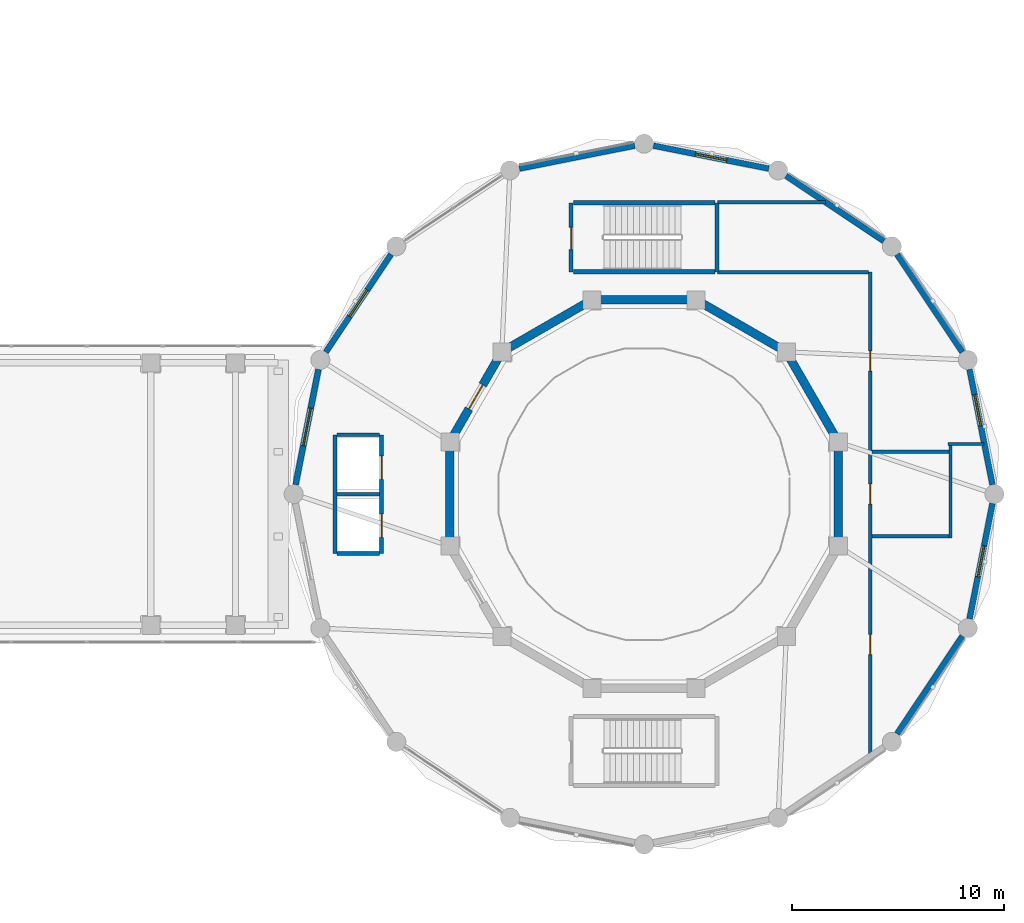
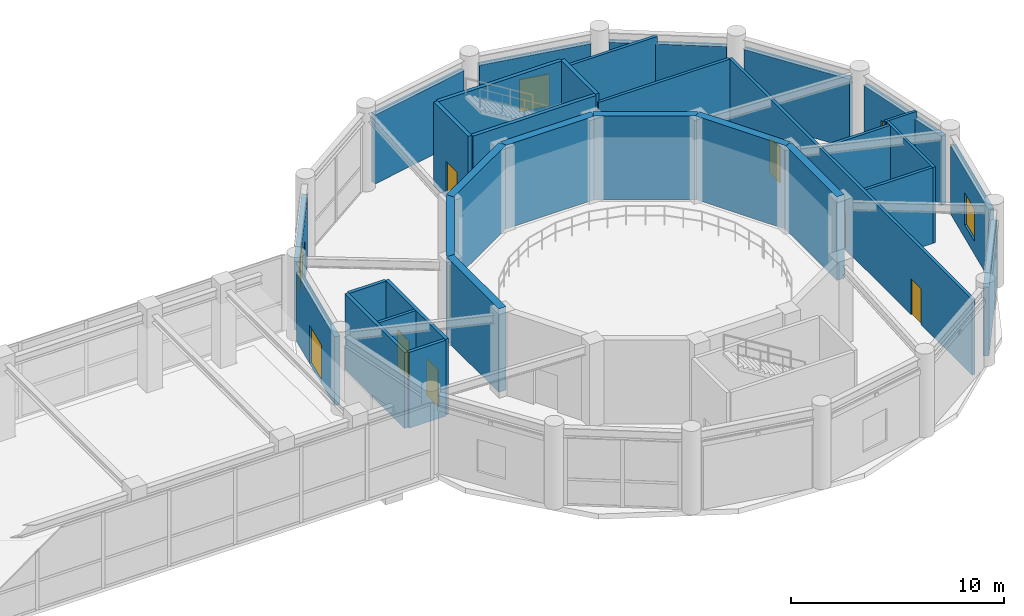
# One storey, part 34 of 44: 32 walls, 8 doors, 4 windows, 12 openings.
"""IFC4 building model written with IfcOpenShell, lengths in metres."""

from ifc_helpers import new_model, si_unit, derived_unit, direction, frame, frame_2d, origin, place, context, subcontext, project, spatial, rectangle, extrude, material, layer, layer_set, type_object, element, fill, save


model = new_model("IFC4")

# Units and contexts
model_context = context("Model", 3, precision=1e-05, world=origin(), true_north=direction((0.0, 1.0)))
body_context = subcontext(model_context, "Body", "Model", "MODEL_VIEW")
ifc_project = project(units=[si_unit("LENGTHUNIT", "METRE"), si_unit("AREAUNIT", "SQUARE_METRE"), si_unit("VOLUMEUNIT", "CUBIC_METRE"), si_unit("PLANEANGLEUNIT", "RADIAN"), si_unit("MASSUNIT", "GRAM", prefix="KILO"), derived_unit("THERMALTRANSMITTANCEUNIT", [(si_unit("POWERUNIT", "WATT"), 1), (si_unit("LENGTHUNIT", "METRE"), -2), (si_unit("THERMODYNAMICTEMPERATUREUNIT", "KELVIN"), -1)])], contexts=[model_context])

# Site, building, storey
site_placement = place(None, origin())
site = spatial("IfcSite", under=ifc_project, at=site_placement, CompositionType="ELEMENT")
building_placement = place(site_placement, origin())
building = spatial("IfcBuilding", under=site, at=building_placement, Name="Korsvarv Bourse and Concert Hall", CompositionType="ELEMENT")
storey_placement = place(building_placement, frame((0.0, 0.0, 9.60009765625)))
storey = spatial("IfcBuildingStorey", under=building, at=storey_placement, Name="L02", CompositionType="ELEMENT", Elevation=9.60009765625)

# Wall, opening, door
ifc_material_1 = material(Name="Concrete C50/60", Category="concrete")
ifc_layer_1 = layer(ifc_material_1, 0.3798828125)
ifc_layer_set_1 = layer_set([ifc_layer_1], Name="Concrete C50/60")
wall_type_1 = type_object("IfcWallType", Name="WL-CORE-380", PredefinedType="SHEAR", material=ifc_layer_set_1)
wall_1_placement = place(storey_placement, frame((103.35009765625, 46.5, 0.0), z_axis=(0.0, 0.0, 1.0), x_axis=(0.0, 1.0, 0.0)))
wall_1 = element("IfcWall", 1, at=wall_1_placement, inside=storey, type_object=wall_type_1, Name="L02 stair shaft structural wall W-L02-STCH1-W", PredefinedType="SHEAR", context=body_context, shape_type="SweptSolid", body=[
    extrude(rectangle(XDim=3.260009765625, YDim=0.199951171875, at=frame_2d((1.6298828125, 0.0))), origin(), (0.0, 0.0, 1.0), 4.7998046875),
])
opening_1_placement = place(wall_1_placement, frame((1.050048828125, 0.0, 0.0)))
opening_1 = element("IfcOpeningElement", 2, at=opening_1_placement, cuts=wall_1, Name="Opening D-01", PredefinedType="OPENING", context=body_context, shape_type="SweptSolid", body=[
    extrude(rectangle(XDim=1.050048828125, YDim=2.10009765625, at=frame_2d((0.52490234375, 1.050048828125))), frame((0.0, 0.10986328125, 0.0), z_axis=(0.0, -1.0, 0.0), x_axis=(1.0, 0.0, 0.0)), (0.0, 0.0, 1.0), 0.219970703125),
])
ifc_material_2 = material(Name="Steel S355 fire door", Category="steel")
door_type_1 = type_object("IfcDoorType", Name="DR-FD60", OperationType="NOTDEFINED", PredefinedType="DOOR", material=ifc_material_2)
door_1_placement = place(opening_1_placement, origin())
door_1 = element("IfcDoor", 3, at=door_1_placement, inside=storey, type_object=door_type_1, Name="L02 interior door DR-L02-STCH1", OperationType="SINGLE_SWING_LEFT", OverallHeight=2.10009765625, OverallWidth=1.050048828125, PredefinedType="DOOR", context=body_context, shape_type="SweptSolid", body=[
    extrude(rectangle(XDim=1.050048828125, YDim=2.10009765625, at=frame_2d((0.52490234375, 1.050048828125))), frame((0.0, 0.02490234375, 0.0), z_axis=(0.0, -1.0, 0.0), x_axis=(1.0, 0.0, 0.0)), (0.0, 0.0, 1.0), 0.050048828125),
])
fill(opening_1, door_1)

# Walls
for number, where, z_axis, x_axis, name in (
    (4, (103.4599609375, 49.760009765625, 0.0), (0.0, 0.0, 1.0), (1.0, 0.0, 0.0), "L02 stair shaft structural wall W-L02-STCH1-N"),
    (5, (103.4599609375, 46.5, 0.0), (0.0, 0.0, 1.0), (1.0, 0.0, 0.0), "L02 stair shaft structural wall W-L02-STCH1-S"),
):
    element("IfcWall", number, at=place(storey_placement, frame(where, z_axis=z_axis, x_axis=x_axis)), inside=storey, type_object=wall_type_1, Name=name, PredefinedType="SHEAR", context=body_context, shape_type="SweptSolid", body=[
        extrude(rectangle(XDim=6.679931640625, YDim=0.199951171875, at=frame_2d((3.33984375, 0.0))), origin(), (0.0, 0.0, 1.0), 4.7998046875),
    ])
wall_2_placement = place(storey_placement, frame((110.25, 46.5, 0.0), z_axis=(0.0, 0.0, 1.0), x_axis=(0.0, 1.0, 0.0)))
element("IfcWall", 6, at=wall_2_placement, inside=storey, type_object=wall_type_1, Name="L02 stair shaft structural wall W-L02-STCH1-E", PredefinedType="SHEAR", context=body_context, shape_type="SweptSolid", body=[
    extrude(rectangle(XDim=3.260009765625, YDim=0.199951171875, at=frame_2d((1.6298828125, 0.0))), origin(), (0.0, 0.0, 1.0), 4.7998046875),
])
ifc_layer_2 = layer(ifc_material_1, 0.39990234375)
ifc_layer_set_2 = layer_set([ifc_layer_2], Name="Concrete C50/60")
wall_type_2 = type_object("IfcWallType", Name="WL-DRM-400", PredefinedType="SOLIDWALL", material=ifc_layer_set_2)
for number, where, z_axis, x_axis, name in (
    (7, (115.976318359375, 38.458740234375, 0.0), (0.0, 0.0, 1.0), (-0.499988900423, 0.866031812033, 0.0), "L02 Concert Hall Acoustic Bowl Wall 1"),
    (8, (113.517578125, 42.717529296875, 0.0), (0.0, 0.0, 1.0), (-0.866031812033, 0.499988900423, 0.0), "L02 Concert Hall Acoustic Bowl Wall 2"),
    (9, (109.2587890625, 45.17626953125, 0.0), (0.0, 0.0, 1.0), (-1.0, 0.0, 0.0), "L02 Concert Hall Acoustic Bowl Wall 3"),
    (10, (104.34130859375, 45.17626953125, 0.0), (0.0, 0.0, 1.0), (-0.866031812033, -0.499988900423, 0.0), "L02 Concert Hall Acoustic Bowl Wall 4"),
):
    element("IfcWall", number, at=place(storey_placement, frame(where, z_axis=z_axis, x_axis=x_axis)), inside=storey, type_object=wall_type_2, Name=name, PredefinedType="SOLIDWALL", context=body_context, shape_type="SweptSolid", body=[
        extrude(rectangle(XDim=4.91748046875, YDim=0.39990234375, at=frame_2d((2.458740234375, 0.0))), origin(), (0.0, 0.0, 1.0), 4.7998046875),
    ])

# Wall, opening, door
wall_3_placement = place(storey_placement, frame((100.08251953125, 42.717529296875, 0.0), z_axis=(0.0, 0.0, 1.0), x_axis=(-0.499988900423, -0.866031812033, 0.0)))
wall_3 = element("IfcWall", 11, at=wall_3_placement, inside=storey, type_object=wall_type_2, Name="L02 Concert Hall Acoustic Bowl Wall 5", PredefinedType="SOLIDWALL", context=body_context, shape_type="SweptSolid", body=[
    extrude(rectangle(XDim=4.91748046875, YDim=0.39990234375, at=frame_2d((2.458740234375, 0.0))), origin(), (0.0, 0.0, 1.0), 4.7998046875),
])
opening_2_placement = place(wall_3_placement, frame((1.808837890625, 0.0, 0.0)))
opening_2 = element("IfcOpeningElement", 12, at=opening_2_placement, cuts=wall_3, Name="Opening D-04", PredefinedType="OPENING", context=body_context, shape_type="SweptSolid", body=[
    extrude(rectangle(XDim=1.300048828125, YDim=2.10009765625, at=frame_2d((0.64990234375, 1.050048828125))), frame((0.0, 0.2099609375, 0.0), z_axis=(0.0, -1.0, 0.0), x_axis=(1.0, 0.0, 0.0)), (0.0, 0.0, 1.0), 0.419921875),
])
ifc_material_3 = material(Name="Glazed aluminium double corridor door", Category="aluminium")
door_type_2 = type_object("IfcDoorType", Name="DR-INT-2", OperationType="DOUBLE_DOOR_SINGLE_SWING", PredefinedType="DOOR", material=ifc_material_3)
door_2_placement = place(opening_2_placement, frame((1.300048828125, 0.0, 0.0), z_axis=(0.0, 0.0, 1.0), x_axis=(-1.0, 0.0, 0.0)))
door_2 = element("IfcDoor", 13, at=door_2_placement, inside=storey, type_object=door_type_2, Name="L02 Symphony Auditorium acoustic door DR-L02-CHB1", OperationType="SINGLE_SWING_LEFT", OverallHeight=2.10009765625, OverallWidth=1.300048828125, PredefinedType="DOOR", context=body_context, shape_type="SweptSolid", body=[
    extrude(rectangle(XDim=1.300048828125, YDim=2.10009765625, at=frame_2d((0.64990234375, 1.050048828125))), frame((0.0, 0.02490234375, 0.0), z_axis=(0.0, -1.0, 0.0), x_axis=(1.0, 0.0, 0.0)), (0.0, 0.0, 1.0), 0.050048828125),
])
fill(opening_2, door_2)

# Walls
for number, where, z_axis, x_axis, name in (
    (14, (97.623779296875, 38.458740234375, 0.0), (0.0, 0.0, 1.0), (0.0, -1.0, 0.0), "L02 Concert Hall Acoustic Bowl Wall 6"),
    (15, (115.976318359375, 33.541259765625, 0.0), (0.0, 0.0, 1.0), (0.0, 1.0, 0.0), "L02 Concert Hall Acoustic Bowl Wall 12"),
):
    element("IfcWall", number, at=place(storey_placement, frame(where, z_axis=z_axis, x_axis=x_axis)), inside=storey, type_object=wall_type_2, Name=name, PredefinedType="SOLIDWALL", context=body_context, shape_type="SweptSolid", body=[
        extrude(rectangle(XDim=4.91748046875, YDim=0.39990234375, at=frame_2d((2.458740234375, 0.0))), origin(), (0.0, 0.0, 1.0), 4.7998046875),
    ])

# Wall, opening, window
ifc_material_4 = material(Name="Precast concrete C45/55 with fluted terracotta pier", Category="concrete")
ifc_layer_3 = layer(ifc_material_4, 0.280029296875)
ifc_layer_set_3 = layer_set([ifc_layer_3], Name="Precast concrete C45/55 with fluted terracotta pier")
wall_type_3 = type_object("IfcWallType", Name="WL-EXT-TC2", PredefinedType="SOLIDWALL", material=ifc_layer_set_3)
wall_4_placement = place(storey_placement, frame((123.26123046875, 36.4462890625, 0.0), z_axis=(0.0, 0.0, 1.0), x_axis=(-0.195091972221, 0.980784952156, 0.0)))
wall_4 = element("IfcWall", 16, at=wall_4_placement, inside=storey, type_object=wall_type_3, Name="L02 terracotta exterior wall EW-L02-CHD01", PredefinedType="SOLIDWALL", context=body_context, shape_type="SweptSolid", body=[
    extrude(rectangle(XDim=5.547607421875, YDim=0.280029296875, at=frame_2d((2.77392578125, 0.0))), origin(), (0.0, 0.0, 1.0), 3.949951171875),
])
opening_3_placement = place(wall_4_placement, frame((2.83544921875, 0.0, 0.75)))
opening_3 = element("IfcOpeningElement", 17, at=opening_3_placement, cuts=wall_4, Name="Opening W-04", PredefinedType="OPENING", context=body_context, shape_type="SweptSolid", body=[
    extrude(rectangle(XDim=1.5, YDim=1.85009765625, at=frame_2d((0.75, 0.925048828125))), frame((0.0, 0.14990234375, 0.0), z_axis=(0.0, -1.0, 0.0), x_axis=(1.0, 0.0, 0.0)), (0.0, 0.0, 1.0), 0.300048828125),
])
ifc_material_5 = material(Name="Thermally broken aluminium frame with triple low-E glass", Category="glass")
window_type = type_object("IfcWindowType", Name="WIN-POD2", PartitioningType="SINGLE_PANEL", PredefinedType="WINDOW", material=ifc_material_5)
window_1_placement = place(opening_3_placement, origin())
window_1 = element("IfcWindow", 18, at=window_1_placement, inside=storey, type_object=window_type, Name="L02 punched facade window W-04", OverallHeight=1.85009765625, OverallWidth=1.5, PartitioningType="SINGLE_PANEL", PredefinedType="WINDOW", context=body_context, shape_type="SweptSolid", body=[
    extrude(rectangle(XDim=1.5, YDim=1.85009765625, at=frame_2d((0.75, 0.925048828125))), frame((0.0, 0.030029296875, 0.0), z_axis=(0.0, -1.0, 0.0), x_axis=(1.0, 0.0, 0.0)), (0.0, 0.0, 1.0), 0.06005859375),
])
fill(opening_3, window_1)

# Walls
for number, where, z_axis, x_axis, name in (
    (19, (121.83740234375, 42.711669921875, 0.0), (0.0, 0.0, 1.0), (-0.555573305798, 0.831467559129, 0.0), "L02 terracotta exterior wall EW-L02-CHD02"),
    (20, (118.124267578125, 47.955322265625, 0.0), (0.0, 0.0, 1.0), (-0.831467559129, 0.555573305798, 0.0), "L02 terracotta exterior wall EW-L02-CHD03"),
):
    element("IfcWall", number, at=place(storey_placement, frame(where, z_axis=z_axis, x_axis=x_axis)), inside=storey, type_object=wall_type_3, Name=name, PredefinedType="SOLIDWALL", context=body_context, shape_type="SweptSolid", body=[
        extrude(rectangle(XDim=5.54736328125, YDim=0.280029296875, at=frame_2d((2.773681640625, 0.0))), origin(), (0.0, 0.0, 1.0), 3.949951171875),
    ])

# Wall, opening, window
wall_5_placement = place(storey_placement, frame((112.68701171875, 51.37890625, 0.0), z_axis=(0.0, 0.0, 1.0), x_axis=(-0.980783277025, 0.195100393406, 0.0)))
wall_5 = element("IfcWall", 21, at=wall_5_placement, inside=storey, type_object=wall_type_3, Name="L02 terracotta exterior wall EW-L02-CHD04", PredefinedType="SOLIDWALL", context=body_context, shape_type="SweptSolid", body=[
    extrude(rectangle(XDim=5.54736328125, YDim=0.280029296875, at=frame_2d((2.773681640625, 0.0))), origin(), (0.0, 0.0, 1.0), 3.949951171875),
])
opening_4_placement = place(wall_5_placement, frame((2.023681640625, 0.0, 0.75)))
opening_4 = element("IfcOpeningElement", 22, at=opening_4_placement, cuts=wall_5, Name="Opening W-04", PredefinedType="OPENING", context=body_context, shape_type="SweptSolid", body=[
    extrude(rectangle(XDim=1.5, YDim=1.85009765625, at=frame_2d((0.75, 0.925048828125))), frame((0.0, 0.14990234375, 0.0), z_axis=(0.0, -1.0, 0.0), x_axis=(1.0, 0.0, 0.0)), (0.0, 0.0, 1.0), 0.300048828125),
])
window_2_placement = place(opening_4_placement, origin())
window_2 = element("IfcWindow", 23, at=window_2_placement, inside=storey, type_object=window_type, Name="L02 punched facade window W-04", OverallHeight=1.85009765625, OverallWidth=1.5, PartitioningType="SINGLE_PANEL", PredefinedType="WINDOW", context=body_context, shape_type="SweptSolid", body=[
    extrude(rectangle(XDim=1.5, YDim=1.85009765625, at=frame_2d((0.75, 0.925048828125))), frame((0.0, 0.030029296875, 0.0), z_axis=(0.0, -1.0, 0.0), x_axis=(1.0, 0.0, 0.0)), (0.0, 0.0, 1.0), 0.06005859375),
])
fill(opening_4, window_2)

# Wall
wall_6_placement = place(storey_placement, frame((106.353759765625, 52.461181640625, 0.0), z_axis=(0.0, 0.0, 1.0), x_axis=(-0.980784952156, -0.195091972221, 0.0)))
element("IfcWall", 24, at=wall_6_placement, inside=storey, type_object=wall_type_3, Name="L02 terracotta exterior wall EW-L02-CHD05", PredefinedType="SOLIDWALL", context=body_context, shape_type="SweptSolid", body=[
    extrude(rectangle(XDim=5.547607421875, YDim=0.280029296875, at=frame_2d((2.77392578125, 0.0))), origin(), (0.0, 0.0, 1.0), 3.949951171875),
])

# Wall, opening, window
wall_7_placement = place(storey_placement, frame((94.844482421875, 47.32421875, 0.0), z_axis=(0.0, 0.0, 1.0), x_axis=(-0.555542879373, -0.831487888774, 0.0)))
wall_7 = element("IfcWall", 25, at=wall_7_placement, inside=storey, type_object=wall_type_3, Name="L02 terracotta exterior wall EW-L02-CHD07", PredefinedType="SOLIDWALL", context=body_context, shape_type="SweptSolid", body=[
    extrude(rectangle(XDim=5.54736328125, YDim=0.280029296875, at=frame_2d((2.773681640625, 0.0))), origin(), (0.0, 0.0, 1.0), 3.949951171875),
])
opening_5_placement = place(wall_7_placement, frame((2.023681640625, 0.0, 0.75)))
opening_5 = element("IfcOpeningElement", 26, at=opening_5_placement, cuts=wall_7, Name="Opening W-04", PredefinedType="OPENING", context=body_context, shape_type="SweptSolid", body=[
    extrude(rectangle(XDim=1.5, YDim=1.85009765625, at=frame_2d((0.75, 0.925048828125))), frame((0.0, 0.14990234375, 0.0), z_axis=(0.0, -1.0, 0.0), x_axis=(1.0, 0.0, 0.0)), (0.0, 0.0, 1.0), 0.300048828125),
])
window_3_placement = place(opening_5_placement, origin())
window_3 = element("IfcWindow", 27, at=window_3_placement, inside=storey, type_object=window_type, Name="L02 punched facade window W-04", OverallHeight=1.85009765625, OverallWidth=1.5, PartitioningType="SINGLE_PANEL", PredefinedType="WINDOW", context=body_context, shape_type="SweptSolid", body=[
    extrude(rectangle(XDim=1.5, YDim=1.85009765625, at=frame_2d((0.75, 0.925048828125))), frame((0.0, 0.030029296875, 0.0), z_axis=(0.0, -1.0, 0.0), x_axis=(1.0, 0.0, 0.0)), (0.0, 0.0, 1.0), 0.06005859375),
])
fill(opening_5, window_3)

# Wall, opening, door
wall_8_placement = place(storey_placement, frame((91.4208984375, 41.88720703125, 0.0), z_axis=(0.0, 0.0, 1.0), x_axis=(-0.19504963768, -0.980793372144, 0.0)))
wall_8 = element("IfcWall", 28, at=wall_8_placement, inside=storey, type_object=wall_type_3, Name="L02 terracotta exterior wall EW-L02-CHD08", PredefinedType="SOLIDWALL", context=body_context, shape_type="SweptSolid", body=[
    extrude(rectangle(XDim=5.54736328125, YDim=0.280029296875, at=frame_2d((2.773681640625, 0.0))), origin(), (0.0, 0.0, 1.0), 3.949951171875),
])
opening_6_placement = place(wall_8_placement, frame((1.873779296875, 0.0, 0.0)))
opening_6 = element("IfcOpeningElement", 29, at=opening_6_placement, cuts=wall_8, Name="Opening ED-03", PredefinedType="OPENING", context=body_context, shape_type="SweptSolid", body=[
    extrude(rectangle(XDim=1.800048828125, YDim=2.199951171875, at=frame_2d((0.89990234375, 1.10009765625))), frame((0.0, 0.14990234375, 0.0), z_axis=(0.0, -1.0, 0.0), x_axis=(1.0, 0.0, 0.0)), (0.0, 0.0, 1.0), 0.300048828125),
])
ifc_material_6 = material(Name="Thermally broken anodised aluminium and laminated safety glass", Category="aluminium")
door_type_3 = type_object("IfcDoorType", Name="DR-EXT-EXIT-1800X2200", OperationType="DOUBLE_DOOR_SINGLE_SWING", PredefinedType="DOOR", material=ifc_material_6)
door_3_placement = place(opening_6_placement, frame((1.800048828125, 0.0, 0.0), z_axis=(0.0, 0.0, 1.0), x_axis=(-1.0, 0.0, 0.0)))
door_3 = element("IfcDoor", 30, at=door_3_placement, inside=storey, type_object=door_type_3, Name="L02 Concert Hall Link Bridge Portal Door 8", OperationType="DOUBLE_DOOR_SINGLE_SWING", OverallHeight=2.199951171875, OverallWidth=1.800048828125, PredefinedType="DOOR", context=body_context, shape_type="SweptSolid", body=[
    extrude(rectangle(XDim=1.800048828125, YDim=2.199951171875, at=frame_2d((0.89990234375, 1.10009765625))), frame((0.0, 0.02490234375, 0.0), z_axis=(0.0, -1.0, 0.0), x_axis=(1.0, 0.0, 0.0)), (0.0, 0.0, 1.0), 0.050048828125),
])
fill(opening_6, door_3)

# Wall
wall_9_placement = place(storey_placement, frame((118.75537109375, 24.67578125, 0.0), z_axis=(0.0, 0.0, 1.0), x_axis=(0.555573305798, 0.831467559129, 0.0)))
element("IfcWall", 31, at=wall_9_placement, inside=storey, type_object=wall_type_3, Name="L02 terracotta exterior wall EW-L02-CHD15", PredefinedType="SOLIDWALL", context=body_context, shape_type="SweptSolid", body=[
    extrude(rectangle(XDim=5.54736328125, YDim=0.280029296875, at=frame_2d((2.773681640625, 0.0))), origin(), (0.0, 0.0, 1.0), 3.949951171875),
])

# Wall, opening, window
wall_10_placement = place(storey_placement, frame((122.178955078125, 30.11279296875, 0.0), z_axis=(0.0, 0.0, 1.0), x_axis=(0.195091972221, 0.980784952156, 0.0)))
wall_10 = element("IfcWall", 32, at=wall_10_placement, inside=storey, type_object=wall_type_3, Name="L02 terracotta exterior wall EW-L02-CHD16", PredefinedType="SOLIDWALL", context=body_context, shape_type="SweptSolid", body=[
    extrude(rectangle(XDim=5.547607421875, YDim=0.280029296875, at=frame_2d((2.77392578125, 0.0))), origin(), (0.0, 0.0, 1.0), 3.949951171875),
])
opening_7_placement = place(wall_10_placement, frame((2.023681640625, 0.0, 0.75)))
opening_7 = element("IfcOpeningElement", 33, at=opening_7_placement, cuts=wall_10, Name="Opening W-04", PredefinedType="OPENING", context=body_context, shape_type="SweptSolid", body=[
    extrude(rectangle(XDim=1.5, YDim=1.85009765625, at=frame_2d((0.75, 0.925048828125))), frame((0.0, 0.14990234375, 0.0), z_axis=(0.0, -1.0, 0.0), x_axis=(1.0, 0.0, 0.0)), (0.0, 0.0, 1.0), 0.300048828125),
])
window_4_placement = place(opening_7_placement, origin())
window_4 = element("IfcWindow", 34, at=window_4_placement, inside=storey, type_object=window_type, Name="L02 punched facade window W-04", OverallHeight=1.85009765625, OverallWidth=1.5, PartitioningType="SINGLE_PANEL", PredefinedType="WINDOW", context=body_context, shape_type="SweptSolid", body=[
    extrude(rectangle(XDim=1.5, YDim=1.85009765625, at=frame_2d((0.75, 0.925048828125))), frame((0.0, 0.030029296875, 0.0), z_axis=(0.0, -1.0, 0.0), x_axis=(1.0, 0.0, 0.0)), (0.0, 0.0, 1.0), 0.06005859375),
])
fill(opening_7, window_4)

# Wall, openings, doors
ifc_material_7 = material(Name="Double-stud fire-rated acoustic partition", Category="gypsum")
ifc_layer_4 = layer(ifc_material_7, 0.159912109375)
ifc_layer_set_4 = layer_set([ifc_layer_4], Name="Double-stud fire-rated acoustic partition")
wall_type_4 = type_object("IfcWallType", Name="WL-INT-EI60", PredefinedType="PARTITIONING", material=ifc_layer_set_4)
wall_11_placement = place(storey_placement, frame((117.47509765625, 23.630859375, 0.0), z_axis=(0.0, 0.0, 1.0), x_axis=(0.0, 1.0, 0.0)))
wall_11 = element("IfcWall", 35, at=wall_11_placement, inside=storey, type_object=wall_type_4, Name="L02 interior partition wall W-L02-CHFOY-01", PredefinedType="PARTITIONING", context=body_context, shape_type="SweptSolid", body=[
    extrude(rectangle(XDim=22.84912109375, YDim=0.159912109375, at=frame_2d((11.424560546875, 0.0))), origin(), (0.0, 0.0, 1.0), 4.349853515625),
])
opening_8_placement = place(wall_11_placement, frame((11.894287109375, 0.0, 0.0)))
opening_8 = element("IfcOpeningElement", 36, at=opening_8_placement, cuts=wall_11, Name="Opening D-02", PredefinedType="OPENING", context=body_context, shape_type="SweptSolid", body=[
    extrude(rectangle(XDim=0.949951171875, YDim=2.050048828125, at=frame_2d((0.47509765625, 1.02490234375))), frame((0.0, 0.08984375, 0.0), z_axis=(0.0, -1.0, 0.0), x_axis=(1.0, 0.0, 0.0)), (0.0, 0.0, 1.0), 0.179931640625),
])
opening_9_placement = place(wall_11_placement, frame((4.791259765625, 0.0, 0.0)))
opening_9 = element("IfcOpeningElement", 37, at=opening_9_placement, cuts=wall_11, Name="Opening D-02", PredefinedType="OPENING", context=body_context, shape_type="SweptSolid", body=[
    extrude(rectangle(XDim=0.949951171875, YDim=2.050048828125, at=frame_2d((0.47509765625, 1.02490234375))), frame((0.0, 0.08984375, 0.0), z_axis=(0.0, -1.0, 0.0), x_axis=(1.0, 0.0, 0.0)), (0.0, 0.0, 1.0), 0.179931640625),
])
opening_10_placement = place(wall_11_placement, frame((18.17919921875, 0.0, 0.0)))
opening_10 = element("IfcOpeningElement", 38, at=opening_10_placement, cuts=wall_11, Name="Opening D-02", PredefinedType="OPENING", context=body_context, shape_type="SweptSolid", body=[
    extrude(rectangle(XDim=0.949951171875, YDim=2.050048828125, at=frame_2d((0.47509765625, 1.02490234375))), frame((0.0, 0.08984375, 0.0), z_axis=(0.0, -1.0, 0.0), x_axis=(1.0, 0.0, 0.0)), (0.0, 0.0, 1.0), 0.179931640625),
])
ifc_material_8 = material(Name="Timber and steel acoustic fire door", Category="wood")
door_type_4 = type_object("IfcDoorType", Name="DR-FD30", OperationType="NOTDEFINED", PredefinedType="DOOR", material=ifc_material_8)
door_4_placement = place(opening_8_placement, origin())
door_4 = element("IfcDoor", 39, at=door_4_placement, inside=storey, type_object=door_type_4, Name="L02 interior door DR-L02-CHFOY-RWC", OperationType="SINGLE_SWING_LEFT", OverallHeight=2.050048828125, OverallWidth=0.949951171875, PredefinedType="DOOR", context=body_context, shape_type="SweptSolid", body=[
    extrude(rectangle(XDim=0.949951171875, YDim=2.050048828125, at=frame_2d((0.47509765625, 1.02490234375))), frame((0.0, 0.02490234375, 0.0), z_axis=(0.0, -1.0, 0.0), x_axis=(1.0, 0.0, 0.0)), (0.0, 0.0, 1.0), 0.050048828125),
])
fill(opening_8, door_4)
door_5_placement = place(opening_9_placement, origin())
door_5 = element("IfcDoor", 40, at=door_5_placement, inside=storey, type_object=door_type_4, Name="L02 interior door DR-L02-CHFOY-CHWC1", OperationType="SINGLE_SWING_RIGHT", OverallHeight=2.050048828125, OverallWidth=0.949951171875, PredefinedType="DOOR", context=body_context, shape_type="SweptSolid", body=[
    extrude(rectangle(XDim=0.949951171875, YDim=2.050048828125, at=frame_2d((0.47509765625, 1.02490234375))), frame((0.0, 0.02490234375, 0.0), z_axis=(0.0, -1.0, 0.0), x_axis=(1.0, 0.0, 0.0)), (0.0, 0.0, 1.0), 0.050048828125),
])
fill(opening_9, door_5)
door_6_placement = place(opening_10_placement, origin())
door_6 = element("IfcDoor", 41, at=door_6_placement, inside=storey, type_object=door_type_4, Name="L02 interior door DR-L02-CHFOY-CHSUP2", OperationType="SINGLE_SWING_LEFT", OverallHeight=2.050048828125, OverallWidth=0.949951171875, PredefinedType="DOOR", context=body_context, shape_type="SweptSolid", body=[
    extrude(rectangle(XDim=0.949951171875, YDim=2.050048828125, at=frame_2d((0.47509765625, 1.02490234375))), frame((0.0, 0.02490234375, 0.0), z_axis=(0.0, -1.0, 0.0), x_axis=(1.0, 0.0, 0.0)), (0.0, 0.0, 1.0), 0.050048828125),
])
fill(opening_10, door_6)

# Walls
wall_12_placement = place(storey_placement, frame((110.27001953125, 46.47509765625, 0.0), z_axis=(0.0, 0.0, 1.0), x_axis=(1.0, 0.0, 0.0)))
element("IfcWall", 42, at=wall_12_placement, inside=storey, type_object=wall_type_4, Name="L02 interior partition wall W-L02-CHFOY-02", PredefinedType="PARTITIONING", context=body_context, shape_type="SweptSolid", body=[
    extrude(rectangle(XDim=7.123046875, YDim=0.159912109375, at=frame_2d((3.5615234375, 0.0))), origin(), (0.0, 0.0, 1.0), 4.349853515625),
])
wall_13_placement = place(storey_placement, frame((110.27001953125, 49.784912109375, 0.0), z_axis=(0.0, 0.0, 1.0), x_axis=(1.0, 0.0, 0.0)))
element("IfcWall", 43, at=wall_13_placement, inside=storey, type_object=wall_type_4, Name="L02 interior partition wall W-L02-CHFOY-03", PredefinedType="PARTITIONING", context=body_context, shape_type="SweptSolid", body=[
    extrude(rectangle(XDim=5.09619140625, YDim=0.159912109375, at=frame_2d((2.548095703125, 0.0))), origin(), (0.0, 0.0, 1.0), 4.349853515625),
])
for number, where, z_axis, x_axis, name in (
    (44, (117.556884765625, 38.0, 0.0), (0.0, 0.0, 1.0), (1.0, 0.0, 0.0), "L02 interior partition wall W-L02-CHFOY-04"),
    (45, (117.556884765625, 34.0, 0.0), (0.0, 0.0, 1.0), (1.0, 0.0, 0.0), "L02 interior partition wall W-L02-CHFOY-05"),
):
    element("IfcWall", number, at=place(storey_placement, frame(where, z_axis=z_axis, x_axis=x_axis)), inside=storey, type_object=wall_type_4, Name=name, PredefinedType="PARTITIONING", context=body_context, shape_type="SweptSolid", body=[
        extrude(rectangle(XDim=3.64599609375, YDim=0.159912109375, at=frame_2d((1.822998046875, 0.0))), origin(), (0.0, 0.0, 1.0), 4.349853515625),
    ])

# Wall, openings, doors
ifc_material_9 = material(Name="Gypsum-clad autoclaved concrete shaft wall C30/37", Category="concrete")
ifc_layer_5 = layer(ifc_material_9, 0.179931640625)
ifc_layer_set_5 = layer_set([ifc_layer_5], Name="Gypsum-clad autoclaved concrete shaft wall C30/37")
wall_type_5 = type_object("IfcWallType", Name="WL-INT-EI90", PredefinedType="PARTITIONING", material=ifc_layer_set_5)
wall_14_placement = place(storey_placement, frame((94.39990234375, 33.199951171875, 0.0), z_axis=(0.0, 0.0, 1.0), x_axis=(0.0, 1.0, 0.0)))
wall_14 = element("IfcWall", 46, at=wall_14_placement, inside=storey, type_object=wall_type_5, Name="L02 interior partition wall W-L02-CHLF-E", PredefinedType="PARTITIONING", context=body_context, shape_type="SweptSolid", body=[
    extrude(rectangle(XDim=5.60009765625, YDim=0.179931640625, at=frame_2d((2.800048828125, 0.0))), origin(), (0.0, 0.0, 1.0), 4.349853515625),
])
opening_11_placement = place(wall_14_placement, frame((3.5, 0.0, 0.0)))
opening_11 = element("IfcOpeningElement", 47, at=opening_11_placement, cuts=wall_14, Name="Opening LD-2", PredefinedType="OPENING", context=body_context, shape_type="SweptSolid", body=[
    extrude(rectangle(XDim=1.10009765625, YDim=2.10009765625, at=frame_2d((0.550048828125, 1.050048828125))), frame((0.0, 0.10009765625, 0.0), z_axis=(0.0, -1.0, 0.0), x_axis=(1.0, 0.0, 0.0)), (0.0, 0.0, 1.0), 0.199951171875),
])
opening_12_placement = place(wall_14_placement, frame((0.75, 0.0, 0.0)))
opening_12 = element("IfcOpeningElement", 48, at=opening_12_placement, cuts=wall_14, Name="Opening LD-2", PredefinedType="OPENING", context=body_context, shape_type="SweptSolid", body=[
    extrude(rectangle(XDim=1.10009765625, YDim=2.10009765625, at=frame_2d((0.550048828125, 1.050048828125))), frame((0.0, 0.10009765625, 0.0), z_axis=(0.0, -1.0, 0.0), x_axis=(1.0, 0.0, 0.0)), (0.0, 0.0, 1.0), 0.199951171875),
])
ifc_material_10 = material(Name="Brushed stainless Steel S355 lift landing door", Category="steel")
door_type_5 = type_object("IfcDoorType", Name="DR-LIFT-P", OperationType="DOUBLE_DOOR_SLIDING", PredefinedType="DOOR", material=ifc_material_10)
door_7_placement = place(opening_11_placement, origin())
door_7 = element("IfcDoor", 49, at=door_7_placement, inside=storey, type_object=door_type_5, Name="L02 lift sliding landing door LD-L02-CHL1", OperationType="DOUBLE_DOOR_SLIDING", OverallHeight=2.10009765625, OverallWidth=1.10009765625, PredefinedType="DOOR", context=body_context, shape_type="SweptSolid", body=[
    extrude(rectangle(XDim=1.10009765625, YDim=2.10009765625, at=frame_2d((0.550048828125, 1.050048828125))), frame((0.0, 0.02490234375, 0.0), z_axis=(0.0, -1.0, 0.0), x_axis=(1.0, 0.0, 0.0)), (0.0, 0.0, 1.0), 0.050048828125),
])
fill(opening_11, door_7)
door_8_placement = place(opening_12_placement, origin())
door_8 = element("IfcDoor", 50, at=door_8_placement, inside=storey, type_object=door_type_5, Name="L02 lift sliding landing door LD-L02-CHL2", OperationType="DOUBLE_DOOR_SLIDING", OverallHeight=2.10009765625, OverallWidth=1.10009765625, PredefinedType="DOOR", context=body_context, shape_type="SweptSolid", body=[
    extrude(rectangle(XDim=1.10009765625, YDim=2.10009765625, at=frame_2d((0.550048828125, 1.050048828125))), frame((0.0, 0.02490234375, 0.0), z_axis=(0.0, -1.0, 0.0), x_axis=(1.0, 0.0, 0.0)), (0.0, 0.0, 1.0), 0.050048828125),
])
fill(opening_12, door_8)

# Walls
wall_15_placement = place(storey_placement, frame((92.199951171875, 33.199951171875, 0.0), z_axis=(0.0, 0.0, 1.0), x_axis=(0.0, 1.0, 0.0)))
element("IfcWall", 51, at=wall_15_placement, inside=storey, type_object=wall_type_5, Name="L02 interior partition wall W-L02-CHLF-W", PredefinedType="PARTITIONING", context=body_context, shape_type="SweptSolid", body=[
    extrude(rectangle(XDim=5.60009765625, YDim=0.179931640625, at=frame_2d((2.800048828125, 0.0))), origin(), (0.0, 0.0, 1.0), 4.349853515625),
])
for number, where, z_axis, x_axis, name in (
    (52, (92.300048828125, 38.800048828125, 0.0), (0.0, 0.0, 1.0), (1.0, 0.0, 0.0), "L02 interior partition wall W-L02-CHLF-N"),
    (53, (92.300048828125, 33.199951171875, 0.0), (0.0, 0.0, 1.0), (1.0, 0.0, 0.0), "L02 interior partition wall W-L02-CHLF-S"),
):
    element("IfcWall", number, at=place(storey_placement, frame(where, z_axis=z_axis, x_axis=x_axis)), inside=storey, type_object=wall_type_5, Name=name, PredefinedType="PARTITIONING", context=body_context, shape_type="SweptSolid", body=[
        extrude(rectangle(XDim=2.0, YDim=0.179931640625, at=frame_2d((1.0, 0.0))), origin(), (0.0, 0.0, 1.0), 4.349853515625),
    ])
wall_16_placement = place(storey_placement, frame((92.300048828125, 36.0, 0.0), z_axis=(0.0, 0.0, 1.0), x_axis=(1.0, 0.0, 0.0)))
element("IfcWall", 54, at=wall_16_placement, inside=storey, type_object=wall_type_5, Name="L02 interior partition wall W-L02-CHLF-M", PredefinedType="PARTITIONING", context=body_context, shape_type="SweptSolid", body=[
    extrude(rectangle(XDim=2.0, YDim=0.159912109375, at=frame_2d((1.0, 0.0))), origin(), (0.0, 0.0, 1.0), 4.349853515625),
])
ifc_material_11 = material(Name="Insulated steel-stud office acoustic partition", Category="gypsum")
ifc_layer_6 = layer(ifc_material_11, 0.139892578125)
ifc_layer_set_6 = layer_set([ifc_layer_6], Name="Insulated steel-stud office acoustic partition")
wall_type_6 = type_object("IfcWallType", Name="WL-INT-P1", PredefinedType="PARTITIONING", material=ifc_layer_set_6)
wall_17_placement = place(storey_placement, frame((121.27490234375, 33.919921875, 0.0), z_axis=(0.0, 0.0, 1.0), x_axis=(0.0, 1.0, 0.0)))
element("IfcWall", 55, at=wall_17_placement, inside=storey, type_object=wall_type_6, Name="L02 interior partition wall W-L02-CHFOY-06", PredefinedType="PARTITIONING", context=body_context, shape_type="SweptSolid", body=[
    extrude(rectangle(XDim=4.372314453125, YDim=0.139892578125, at=frame_2d((2.18603515625, 0.0))), origin(), (0.0, 0.0, 1.0), 4.349853515625),
])
wall_18_placement = place(storey_placement, frame((121.15625, 38.3642578125, 0.0), z_axis=(0.0, 0.0, 1.0), x_axis=(0.999999907557, 0.000429984194, 0.0)))
element("IfcWall", 56, at=wall_18_placement, inside=storey, type_object=wall_type_6, Name="L02 interior partition wall W-L02-CHFOY-07", PredefinedType="PARTITIONING", context=body_context, shape_type="SweptSolid", body=[
    extrude(rectangle(XDim=1.703369140625, YDim=0.139892578125, at=frame_2d((0.8515625, 0.0))), origin(), (0.0, 0.0, 1.0), 4.349853515625),
])

save(model, "model.ifc")
